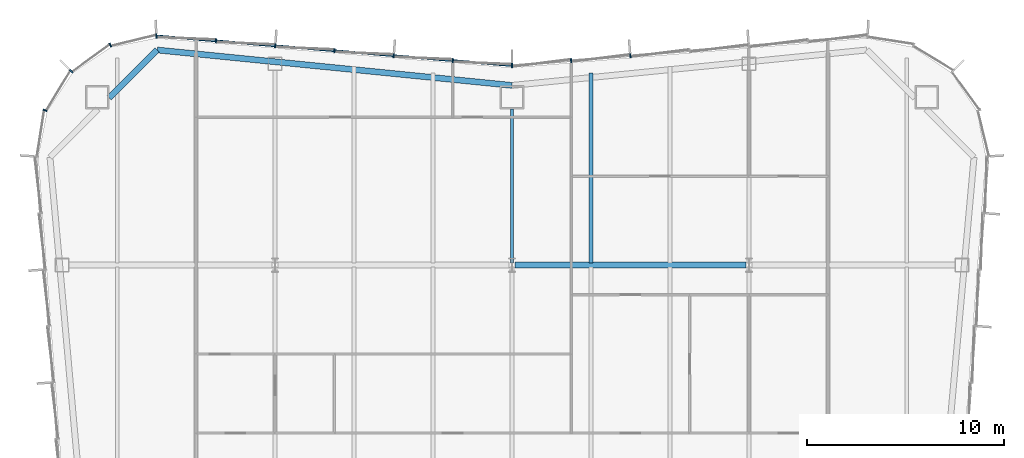
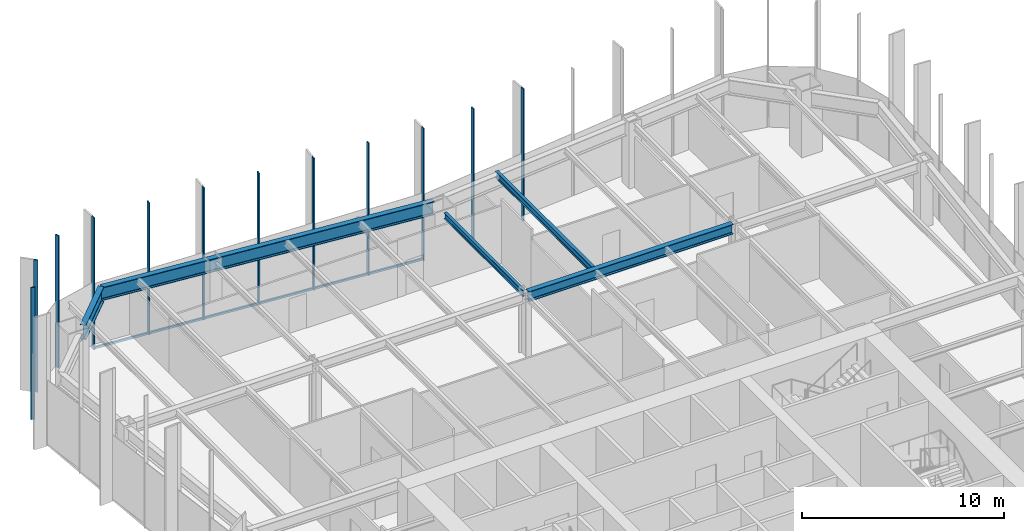
# One storey, part 6 of 14: 13 members, 5 beams, 2 elements without a shape of their own.
"""IFC4 building model written with IfcOpenShell, lengths in metres."""

from ifc_helpers import new_model, si_unit, direction, frame, origin, origin_2d, place, context, subcontext, project, spatial, rectangle, i_section, extrude, material, material_profile, profile_set, type_object, element, aggregate, save


model = new_model("IFC4")

# Units and contexts
model_context = context("Model", 3, precision=1e-05, world=origin(), true_north=direction((0.0, 1.0)))
body_context = subcontext(model_context, "Body", "Model", "MODEL_VIEW")
ifc_project = project(units=[si_unit("LENGTHUNIT", "METRE"), si_unit("AREAUNIT", "SQUARE_METRE"), si_unit("VOLUMEUNIT", "CUBIC_METRE"), si_unit("PLANEANGLEUNIT", "RADIAN"), si_unit("MASSUNIT", "GRAM", prefix="KILO")], contexts=[model_context])

# Site, building, storey
site_placement = place(None, origin())
site = spatial("IfcSite", under=ifc_project, at=site_placement, CompositionType="ELEMENT")
building_placement = place(site_placement, origin())
building = spatial("IfcBuilding", under=site, at=building_placement, Name="Verdant Reach Tower", CompositionType="ELEMENT")
storey_placement = place(building_placement, frame((0.0, 0.0, 162.0)))
storey = spatial("IfcBuildingStorey", under=building, at=storey_placement, Name="L37", CompositionType="ELEMENT", Elevation=162.0)

# Curtain wall, members
ifc_material_1 = material(Name="Anodised aluminium", Category="aluminium")
curtain_wall_type = type_object("IfcCurtainWallType", Name="EN-CW SYSTEM Z2", PredefinedType="NOTDEFINED", material=ifc_material_1)
curtain_wall_1_placement = place(storey_placement, origin())
curtain_wall_1 = element("IfcCurtainWall", 1, at=curtain_wall_1_placement, inside=storey, type_object=curtain_wall_type, Name="Curtain wall north, L37", PredefinedType="NOTDEFINED")
ifc_material_profile_1 = material_profile(ifc_material_1, rectangle(XDim=0.2119140625, YDim=0.06396484375, at=origin_2d()), Name="Mullion 64x212")
ifc_profile_set_1 = profile_set([ifc_material_profile_1], Name="Anodised aluminium")
member_type_1 = type_object("IfcMemberType", Name="EN-MULLION Z2", PredefinedType="MULLION", material=ifc_profile_set_1)
member_1_placement = place(storey_placement, frame((5.9912109375, 60.105712890625, -0.35009765625), z_axis=(0.0, 0.0, 1.0), x_axis=(-0.083045479859, 0.996545758244, 0.0)))
member_1 = element("IfcMember", 2, at=member_1_placement, type_object=member_type_1, Name="Mullion north face part 1 5, L37", PredefinedType="MULLION", context=body_context, shape_type="SweptSolid", body=[
    extrude(rectangle(XDim=0.2119140625, YDim=0.06396484375, at=origin_2d()), origin(), (0.0, 0.0, 1.0), 8.0),
])
member_2_placement = place(storey_placement, frame((2.9912109375, 59.855712890625, -0.35009765625), z_axis=(0.0, 0.0, 1.0), x_axis=(-0.083045479859, 0.996545758244, 0.0)))
member_2 = element("IfcMember", 3, at=member_2_placement, type_object=member_type_1, Name="Mullion north face part 1 6, L37", PredefinedType="MULLION", context=body_context, shape_type="SweptSolid", body=[
    extrude(rectangle(XDim=0.2119140625, YDim=0.06396484375, at=origin_2d()), origin(), (0.0, 0.0, 1.0), 8.0),
])
member_3_placement = place(storey_placement, frame((0.0, 59.60595703125, -0.35009765625), z_axis=(0.0, 0.0, 1.0), x_axis=(0.0, 1.0, 0.0)))
member_3 = element("IfcMember", 4, at=member_3_placement, type_object=member_type_1, Name="Mullion north face part 2 1, L37", PredefinedType="MULLION", context=body_context, shape_type="SweptSolid", body=[
    extrude(rectangle(XDim=0.2119140625, YDim=0.06396484375, at=origin_2d()), origin(), (0.0, 0.0, 1.0), 8.0),
])
member_4_placement = place(storey_placement, frame((-2.9912109375, 59.855712890625, -0.35009765625), z_axis=(0.0, 0.0, 1.0), x_axis=(0.083045479859, 0.996545758244, 0.0)))
member_4 = element("IfcMember", 5, at=member_4_placement, type_object=member_type_1, Name="Mullion north face part 2 2, L37", PredefinedType="MULLION", context=body_context, shape_type="SweptSolid", body=[
    extrude(rectangle(XDim=0.2119140625, YDim=0.06396484375, at=origin_2d()), origin(), (0.0, 0.0, 1.0), 8.0),
])
member_5_placement = place(storey_placement, frame((-5.9912109375, 60.105712890625, -0.35009765625), z_axis=(0.0, 0.0, 1.0), x_axis=(0.083045479859, 0.996545758244, 0.0)))
member_5 = element("IfcMember", 6, at=member_5_placement, type_object=member_type_1, Name="Mullion north face part 2 3, L37", PredefinedType="MULLION", context=body_context, shape_type="SweptSolid", body=[
    extrude(rectangle(XDim=0.2119140625, YDim=0.06396484375, at=origin_2d()), origin(), (0.0, 0.0, 1.0), 8.0),
])
member_6_placement = place(storey_placement, frame((-8.9912109375, 60.355712890625, -0.35009765625), z_axis=(0.0, 0.0, 1.0), x_axis=(0.083045479859, 0.996545758244, 0.0)))
member_6 = element("IfcMember", 7, at=member_6_placement, type_object=member_type_1, Name="Mullion north face part 2 4, L37", PredefinedType="MULLION", context=body_context, shape_type="SweptSolid", body=[
    extrude(rectangle(XDim=0.2119140625, YDim=0.06396484375, at=origin_2d()), origin(), (0.0, 0.0, 1.0), 8.0),
])
member_7_placement = place(storey_placement, frame((-11.9912109375, 60.605712890625, -0.35009765625), z_axis=(0.0, 0.0, 1.0), x_axis=(0.083045479859, 0.996545758244, 0.0)))
member_7 = element("IfcMember", 8, at=member_7_placement, type_object=member_type_1, Name="Mullion north face part 2 5, L37", PredefinedType="MULLION", context=body_context, shape_type="SweptSolid", body=[
    extrude(rectangle(XDim=0.2119140625, YDim=0.06396484375, at=origin_2d()), origin(), (0.0, 0.0, 1.0), 8.0),
])
member_8_placement = place(storey_placement, frame((-14.9912109375, 60.855712890625, -0.35009765625), z_axis=(0.0, 0.0, 1.0), x_axis=(0.083045479859, 0.996545758244, 0.0)))
member_8 = element("IfcMember", 9, at=member_8_placement, type_object=member_type_1, Name="Mullion north face part 2 6, L37", PredefinedType="MULLION", context=body_context, shape_type="SweptSolid", body=[
    extrude(rectangle(XDim=0.2119140625, YDim=0.06396484375, at=origin_2d()), origin(), (0.0, 0.0, 1.0), 8.0),
])

curtain_wall_2_placement = place(storey_placement, origin())
curtain_wall_2 = element("IfcCurtainWall", 10, at=curtain_wall_2_placement, inside=storey, type_object=curtain_wall_type, Name="Curtain wall north-west corner, L37", PredefinedType="NOTDEFINED")
member_9_placement = place(storey_placement, frame((-18.006103515625, 61.105712890625, -0.35009765625), z_axis=(0.0, 0.0, 1.0), x_axis=(-0.056569187765, 0.998398681387, 0.0)))
member_9 = element("IfcMember", 11, at=member_9_placement, type_object=member_type_1, Name="Mullion north-west corner 1, L37", PredefinedType="MULLION", context=body_context, shape_type="SweptSolid", body=[
    extrude(rectangle(XDim=0.2119140625, YDim=0.06396484375, at=origin_2d()), origin(), (0.0, 0.0, 1.0), 8.0),
])
member_10_placement = place(storey_placement, frame((-20.336669921875, 60.64111328125, -0.35009765625), z_axis=(0.0, 0.0, 1.0), x_axis=(-0.382693853776, 0.923875215753, 0.0)))
member_10 = element("IfcMember", 12, at=member_10_placement, type_object=member_type_1, Name="Mullion north-west corner 2, L37", PredefinedType="MULLION", context=body_context, shape_type="SweptSolid", body=[
    extrude(rectangle(XDim=0.2119140625, YDim=0.06396484375, at=origin_2d()), origin(), (0.0, 0.0, 1.0), 8.0),
])
member_11_placement = place(storey_placement, frame((-22.317626953125, 59.317626953125, -0.35009765625), z_axis=(0.0, 0.0, 1.0), x_axis=(-0.707106781187, 0.707106781187, 0.0)))
member_11 = element("IfcMember", 13, at=member_11_placement, type_object=member_type_1, Name="Mullion north-west corner 3, L37", PredefinedType="MULLION", context=body_context, shape_type="SweptSolid", body=[
    extrude(rectangle(XDim=0.2119140625, YDim=0.06396484375, at=origin_2d()), origin(), (0.0, 0.0, 1.0), 8.0),
])
member_12_placement = place(storey_placement, frame((-23.64111328125, 57.336669921875, -0.35009765625), z_axis=(0.0, 0.0, 1.0), x_axis=(-0.923875215753, 0.382693853776, 0.0)))
member_12 = element("IfcMember", 14, at=member_12_placement, type_object=member_type_1, Name="Mullion north-west corner 4, L37", PredefinedType="MULLION", context=body_context, shape_type="SweptSolid", body=[
    extrude(rectangle(XDim=0.2119140625, YDim=0.06396484375, at=origin_2d()), origin(), (0.0, 0.0, 1.0), 8.0),
])
aggregate(curtain_wall_2, [member_9, member_10, member_11, member_12])

# Member
ifc_material_profile_2 = material_profile(ifc_material_1, rectangle(XDim=0.10009765625, YDim=0.1240234375, at=origin_2d()), Name="Transom 124x100")
ifc_profile_set_2 = profile_set([ifc_material_profile_2], Name="Anodised aluminium")
member_type_2 = type_object("IfcMemberType", Name="EN-TRANSOM Z2", PredefinedType="USERDEFINED", material=ifc_profile_set_2)
member_13_placement = place(storey_placement, frame((-0.031982421875, 59.608642578125, -0.2880859375), z_axis=(-0.996548282776, 0.083015179915, 0.0), x_axis=(-0.083015179915, -0.996548282776, 0.0)))
member_13 = element("IfcMember", 15, at=member_13_placement, type_object=member_type_2, Name="Transom north face part 2 1.1, L37", ObjectType="TRANSOM", PredefinedType="USERDEFINED", context=body_context, shape_type="SweptSolid", body=[
    extrude(rectangle(XDim=0.10009765625, YDim=0.1240234375, at=origin_2d()), origin(), (0.0, 0.0, 1.0), 18.00439453125),
])

aggregate(curtain_wall_1, [member_1, member_2, member_3, member_4, member_5, member_6, member_7, member_8, member_13])

# Beams
ifc_material_2 = material(Name="Steel S355", Category="steel")
ifc_material_profile_3 = material_profile(ifc_material_2, i_section(OverallWidth=0.300048828125, OverallDepth=0.60009765625, WebThickness=0.015380859375, FlangeThickness=0.030029296875, FilletRadius=0.027099609375, at=origin_2d()), Name="HEB 600")
ifc_profile_set_3 = profile_set([ifc_material_profile_3], Name="Steel S355")
beam_type_1 = type_object("IfcBeamType", Name="ST-BEAM-HEB600", PredefinedType="BEAM", material=ifc_profile_set_3)
beam_1_placement = place(storey_placement, frame((0.154052734375, 49.5, 3.570068359375), z_axis=(1.0, 0.0, 0.0), x_axis=(0.0, 1.0, 0.0)))
element("IfcBeam", 16, at=beam_1_placement, inside=storey, type_object=beam_type_1, Name="Row girder, L37", PredefinedType="BEAM", context=body_context, shape_type="SweptSolid", body=[
    extrude(i_section(OverallWidth=0.300048828125, OverallDepth=0.60009765625, WebThickness=0.015380859375, FlangeThickness=0.030029296875, FilletRadius=0.027099609375, at=origin_2d()), origin(), (0.0, 0.0, 1.0), 11.69189453125),
])
ifc_material_profile_4 = material_profile(ifc_material_2, i_section(OverallWidth=0.169921875, OverallDepth=0.360107421875, WebThickness=0.008056640625, FlangeThickness=0.0126953125, FilletRadius=0.01806640625, at=origin_2d()), Name="IPE 360")
ifc_profile_set_4 = profile_set([ifc_material_profile_4], Name="Steel S355")
beam_type_2 = type_object("IfcBeamType", Name="ST-JOIST-IPE360", PredefinedType="JOIST", material=ifc_profile_set_4)
beam_2_placement = place(storey_placement, frame((0.0, 49.60009765625, 3.68994140625), z_axis=(0.0, 1.0, 0.0), x_axis=(-1.0, 0.0, 0.0)))
element("IfcBeam", 17, at=beam_2_placement, inside=storey, type_object=beam_type_2, Name="Floor joist, L37", PredefinedType="JOIST", context=body_context, shape_type="SweptSolid", body=[
    extrude(i_section(OverallWidth=0.169921875, OverallDepth=0.360107421875, WebThickness=0.008056640625, FlangeThickness=0.0126953125, FilletRadius=0.01806640625, at=origin_2d()), origin(), (0.0, 0.0, 1.0), 7.7998046875),
])
ifc_material_profile_5 = material_profile(ifc_material_2, i_section(OverallWidth=0.179931640625, OverallDepth=0.39990234375, WebThickness=0.008544921875, FlangeThickness=0.013427734375, FilletRadius=0.02099609375, at=origin_2d()), Name="IPE 400")
ifc_profile_set_5 = profile_set([ifc_material_profile_5], Name="Steel S355")
beam_type_3 = type_object("IfcBeamType", Name="ST-JOIST-IPE400", PredefinedType="JOIST", material=ifc_profile_set_5)
beam_3_placement = place(storey_placement, frame((4.0, 49.60009765625, 3.669921875), z_axis=(0.0, 1.0, 0.0), x_axis=(-1.0, 0.0, 0.0)))
element("IfcBeam", 18, at=beam_3_placement, inside=storey, type_object=beam_type_3, Name="Floor joist, L37", PredefinedType="JOIST", context=body_context, shape_type="SweptSolid", body=[
    extrude(i_section(OverallWidth=0.179931640625, OverallDepth=0.39990234375, WebThickness=0.008544921875, FlangeThickness=0.013427734375, FilletRadius=0.02099609375, at=origin_2d()), origin(), (0.0, 0.0, 1.0), 9.631103515625),
])
ifc_material_profile_6 = material_profile(ifc_material_2, i_section(OverallWidth=0.300048828125, OverallDepth=0.800048828125, WebThickness=0.017578125, FlangeThickness=0.032958984375, FilletRadius=0.030029296875, at=origin_2d()), Name="HEB 800")
ifc_profile_set_6 = profile_set([ifc_material_profile_6], Name="Steel S355")
beam_type_4 = type_object("IfcBeamType", Name="ST-SPANDREL-HEB800", PredefinedType="SPANDREL", material=ifc_profile_set_6)
beam_4_placement = place(storey_placement, frame((-17.9658203125, 60.39501953125, 3.469970703125), z_axis=(0.995046289869, -0.099412680371, 0.0), x_axis=(0.099412680371, 0.995046289869, 0.0)))
element("IfcBeam", 19, at=beam_4_placement, inside=storey, type_object=beam_type_4, Name="Edge beam, L37", PredefinedType="SPANDREL", context=body_context, shape_type="SweptSolid", body=[
    extrude(i_section(OverallWidth=0.300048828125, OverallDepth=0.800048828125, WebThickness=0.017578125, FlangeThickness=0.032958984375, FilletRadius=0.030029296875, at=origin_2d()), origin(), (0.0, 0.0, 1.0), 18.05517578125),
])
ifc_material_profile_7 = material_profile(ifc_material_2, i_section(OverallWidth=0.302001953125, OverallDepth=0.909912109375, WebThickness=0.02099609375, FlangeThickness=0.0400390625, FilletRadius=0.030029296875, at=origin_2d()), Name="HEM 900")
ifc_profile_set_7 = profile_set([ifc_material_profile_7], Name="Steel S355")
beam_type_5 = type_object("IfcBeamType", Name="ST-SPANDREL-HEM900", PredefinedType="SPANDREL", material=ifc_profile_set_7)
beam_5_placement = place(storey_placement, frame((-20.39990234375, 57.9599609375, 3.4150390625), z_axis=(0.70696494852, 0.70724858541, 0.0), x_axis=(-0.70724858541, 0.70696494852, 0.0)))
element("IfcBeam", 20, at=beam_5_placement, inside=storey, type_object=beam_type_5, Name="Edge beam, L37", PredefinedType="SPANDREL", context=body_context, shape_type="SweptSolid", body=[
    extrude(i_section(OverallWidth=0.302001953125, OverallDepth=0.909912109375, WebThickness=0.02099609375, FlangeThickness=0.0400390625, FilletRadius=0.030029296875, at=origin_2d()), origin(), (0.0, 0.0, 1.0), 3.443115234375),
])

save(model, "model.ifc")
